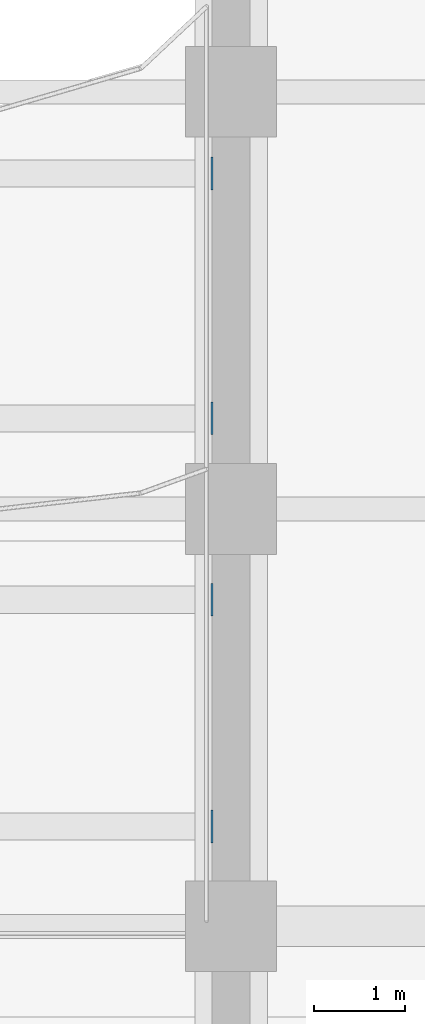
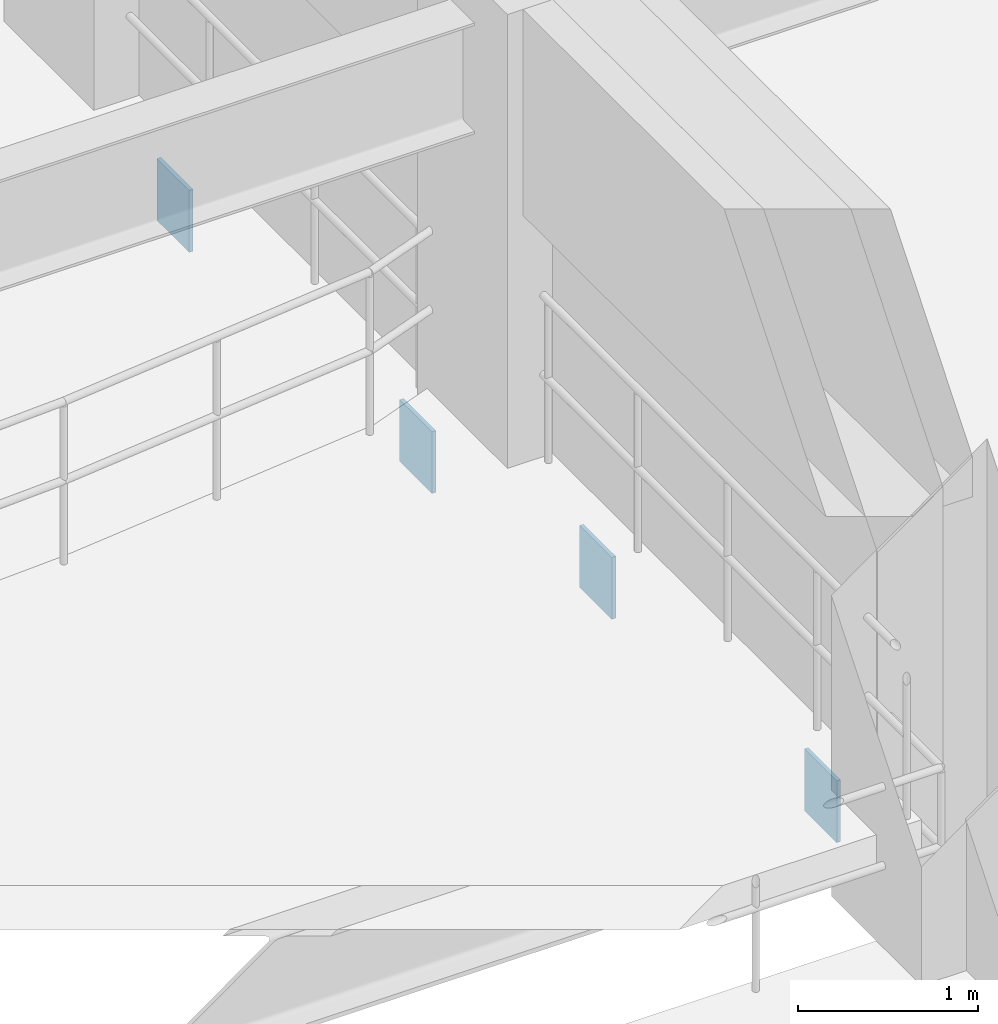
# One storey, part 53 of 74: 4 plates.
"""IFC4 building model written with IfcOpenShell, lengths in metres."""

from ifc_helpers import new_model, si_unit, direction, frame, origin, origin_2d, place, context, subcontext, project, spatial, rectangle, extrude, material, layer, layer_set, type_object, element, save


model = new_model("IFC4")

# Units and contexts
model_context = context("Model", 3, precision=1e-05, world=origin(), true_north=direction((0.0, 1.0)))
body_context = subcontext(model_context, "Body", "Model", "MODEL_VIEW")
ifc_project = project(units=[si_unit("LENGTHUNIT", "METRE"), si_unit("AREAUNIT", "SQUARE_METRE"), si_unit("VOLUMEUNIT", "CUBIC_METRE"), si_unit("PLANEANGLEUNIT", "RADIAN"), si_unit("MASSUNIT", "GRAM", prefix="KILO")], contexts=[model_context])

# Site, building, storey
site_placement = place(None, origin())
site = spatial("IfcSite", under=ifc_project, at=site_placement, CompositionType="ELEMENT")
building_placement = place(site_placement, origin())
building = spatial("IfcBuilding", under=site, at=building_placement, Name="Muzn Square Opera House", CompositionType="ELEMENT")
storey_placement = place(building_placement, frame((0.0, 0.0, 14.199951171875)))
storey = spatial("IfcBuildingStorey", under=building, at=storey_placement, Name="L03", CompositionType="ELEMENT", Elevation=14.199951171875)

# Plates
ifc_material = material(Name="Steel S355", Category="steel")
ifc_layer = layer(ifc_material, 0.02490234375, Name="Steel S355", Category="steel")
ifc_layer_set = layer_set([ifc_layer], Name="Steel S355")
plate_type = type_object("IfcPlateType", Name="Cast-In Wall Embedment Plate 25mm 360x420", PredefinedType="USERDEFINED", material=ifc_layer_set)
for number, where, z_axis, x_axis, name in (
    (1, (102.7900390625, 36.89990234375, 0.010009765625), (0.0, 0.0, 1.0), (1.0, 0.0, 0.0), "Raker Cast-In Wall Embedment Plate RAKER-L03-01-E"),
    (2, (102.7900390625, 39.39990234375, 0.010009765625), (0.0, 0.0, 1.0), (1.0, 0.0, 0.0), "Raker Cast-In Wall Embedment Plate RAKER-L03-02-E"),
    (3, (102.7900390625, 41.39990234375, -0.349853515625), (0.0, 0.0, 1.0), (1.0, 0.0, 0.0), "Raker Cast-In Wall Embedment Plate RAKER-L03-03-E"),
    (4, (102.7900390625, 44.10009765625, -0.349853515625), (0.0, 0.0, 1.0), (1.0, 0.0, 0.0), "Raker Cast-In Wall Embedment Plate RAKER-L03-04-E"),
):
    element("IfcPlate", number, at=place(storey_placement, frame(where, z_axis=z_axis, x_axis=x_axis)), inside=storey, type_object=plate_type, Name=name, ObjectType="GUSSET PLATE", PredefinedType="USERDEFINED", context=body_context, shape_type="SweptSolid", body=[
        extrude(rectangle(XDim=0.02490234375, YDim=0.360107421875, at=origin_2d()), origin(), (0.0, 0.0, 1.0), 0.419921875),
    ])

save(model, "model.ifc")
